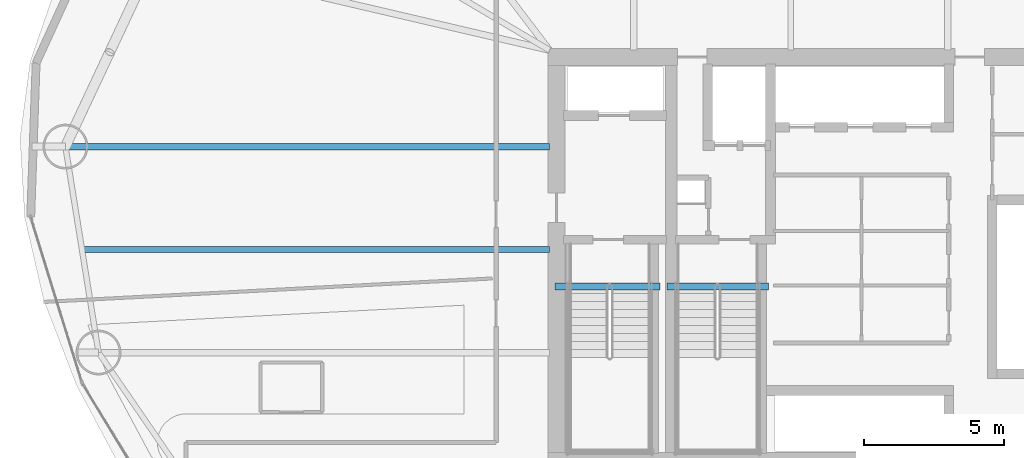
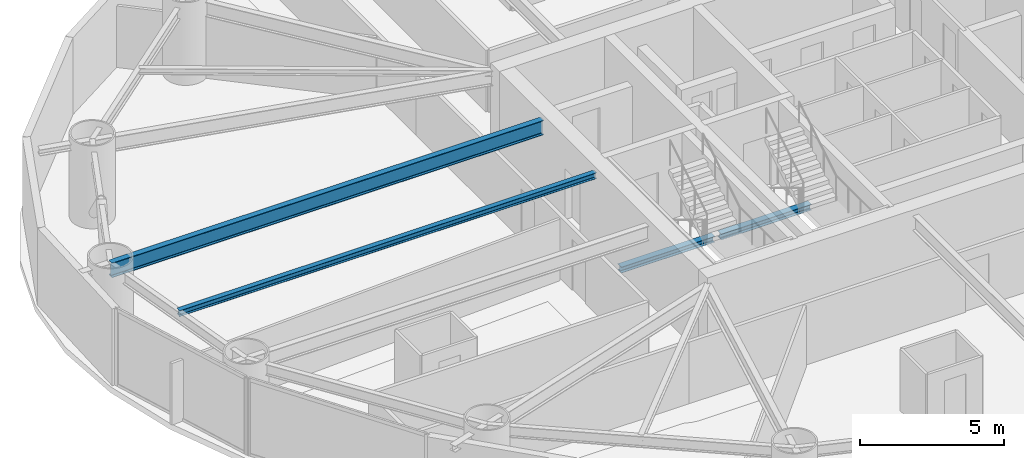
# One storey, part 7 of 30: 4 beams.
"""IFC4 building model written with IfcOpenShell, lengths in metres."""

from ifc_helpers import new_model, si_unit, direction, frame, origin, origin_2d, place, context, subcontext, project, spatial, i_section, extrude, material, material_profile, profile_set, type_object, element, save


model = new_model("IFC4")

# Units and contexts
model_context = context("Model", 3, precision=1e-05, world=origin(), true_north=direction((0.0, 1.0)))
body_context = subcontext(model_context, "Body", "Model", "MODEL_VIEW")
ifc_project = project(units=[si_unit("LENGTHUNIT", "METRE"), si_unit("AREAUNIT", "SQUARE_METRE"), si_unit("VOLUMEUNIT", "CUBIC_METRE"), si_unit("PLANEANGLEUNIT", "RADIAN"), si_unit("MASSUNIT", "GRAM", prefix="KILO")], contexts=[model_context])

# Site, building, storey
site_placement = place(None, origin())
site = spatial("IfcSite", under=ifc_project, at=site_placement, CompositionType="ELEMENT")
building_placement = place(site_placement, origin())
building = spatial("IfcBuilding", under=site, at=building_placement, Name="Bramvorn Convention Spire", CompositionType="ELEMENT")
storey_placement = place(building_placement, frame((0.0, 0.0, 86.89990234375)))
storey = spatial("IfcBuildingStorey", under=building, at=storey_placement, Name="L20", CompositionType="ELEMENT", Elevation=86.89990234375)

# Beams
ifc_material = material(Name="Steel CSA G40.21 Grade 350 (350W)", Category="steel")
ifc_material_profile_1 = material_profile(ifc_material, i_section(OverallWidth=0.201904296875, OverallDepth=0.2470703125, WebThickness=0.00732421875, FlangeThickness=0.010986328125, FilletRadius=0.011962890625, at=origin_2d()))
ifc_profile_set_1 = profile_set([ifc_material_profile_1], Name="Steel CSA G40.21 Grade 350 (350W) - W250X49")
beam_type_1 = type_object("IfcBeamType", Name="BM-W250X49", PredefinedType="JOIST", material=ifc_profile_set_1)
beam_1_placement = place(storey_placement, frame((26.75, 26.333984375, 3.126708984375), z_axis=(-1.0, 0.0, 0.0), x_axis=(0.0, -1.0, 0.0)))
element("IfcBeam", 1, at=beam_1_placement, inside=storey, type_object=beam_type_1, Name="L20 composite floor joist 09", PredefinedType="JOIST", context=body_context, shape_type="SweptSolid", body=[
    extrude(i_section(OverallWidth=0.201904296875, OverallDepth=0.2470703125, WebThickness=0.00732421875, FlangeThickness=0.010986328125, FilletRadius=0.011962890625, at=origin_2d()), origin(), (0.0, 0.0, 1.0), 16.67919921875),
])
ifc_material_profile_2 = material_profile(ifc_material, i_section(OverallWidth=0.25390625, OverallDepth=0.2529296875, WebThickness=0.008544921875, FlangeThickness=0.01416015625, FilletRadius=0.011962890625, at=origin_2d()))
ifc_profile_set_2 = profile_set([ifc_material_profile_2], Name="Steel CSA G40.21 Grade 350 (350W) - W250X73")
beam_type_2 = type_object("IfcBeamType", Name="BM-W250X73", PredefinedType="BEAM", material=ifc_profile_set_2)
beam_2_placement = place(storey_placement, frame((26.949951171875, 25.010009765625, -0.12646484375), z_axis=(1.0, 0.0, 0.0), x_axis=(0.0, 1.0, 0.0)))
element("IfcBeam", 2, at=beam_2_placement, inside=storey, type_object=beam_type_2, Name="L20 ST1 stair arrival header beam", PredefinedType="BEAM", context=body_context, shape_type="SweptSolid", body=[
    extrude(i_section(OverallWidth=0.25390625, OverallDepth=0.2529296875, WebThickness=0.008544921875, FlangeThickness=0.01416015625, FilletRadius=0.011962890625, at=origin_2d()), origin(), (0.0, 0.0, 1.0), 3.739990234375),
])
beam_3_placement = place(storey_placement, frame((30.949951171875, 25.010009765625, -0.12646484375), z_axis=(1.0, 0.0, 0.0), x_axis=(0.0, 1.0, 0.0)))
element("IfcBeam", 3, at=beam_3_placement, inside=storey, type_object=beam_type_2, Name="L20 ST3 stair arrival header beam", PredefinedType="BEAM", context=body_context, shape_type="SweptSolid", body=[
    extrude(i_section(OverallWidth=0.25390625, OverallDepth=0.2529296875, WebThickness=0.008544921875, FlangeThickness=0.01416015625, FilletRadius=0.011962890625, at=origin_2d()), origin(), (0.0, 0.0, 1.0), 3.610107421875),
])
ifc_material_profile_3 = material_profile(ifc_material, i_section(OverallWidth=0.22998046875, OverallDepth=0.616943359375, WebThickness=0.01318359375, FlangeThickness=0.022216796875, FilletRadius=0.02001953125, at=origin_2d()))
ifc_profile_set_3 = profile_set([ifc_material_profile_3], Name="Steel CSA G40.21 Grade 350 (350W) - W610X140")
beam_type_3 = type_object("IfcBeamType", Name="BM-W610X140", PredefinedType="BEAM", material=ifc_profile_set_3)
beam_4_placement = place(storey_placement, frame((26.75, 30.00830078125, 2.941650390625), z_axis=(-1.0, 0.0, 0.0), x_axis=(0.0, -1.0, 0.0)))
element("IfcBeam", 4, at=beam_4_placement, inside=storey, type_object=beam_type_3, Name="L20 radial floor girder MC09", PredefinedType="BEAM", context=body_context, shape_type="SweptSolid", body=[
    extrude(i_section(OverallWidth=0.22998046875, OverallDepth=0.616943359375, WebThickness=0.01318359375, FlangeThickness=0.022216796875, FilletRadius=0.02001953125, at=origin_2d()), origin(), (0.0, 0.0, 1.0), 17.269775390625),
])

save(model, "model.ifc")
